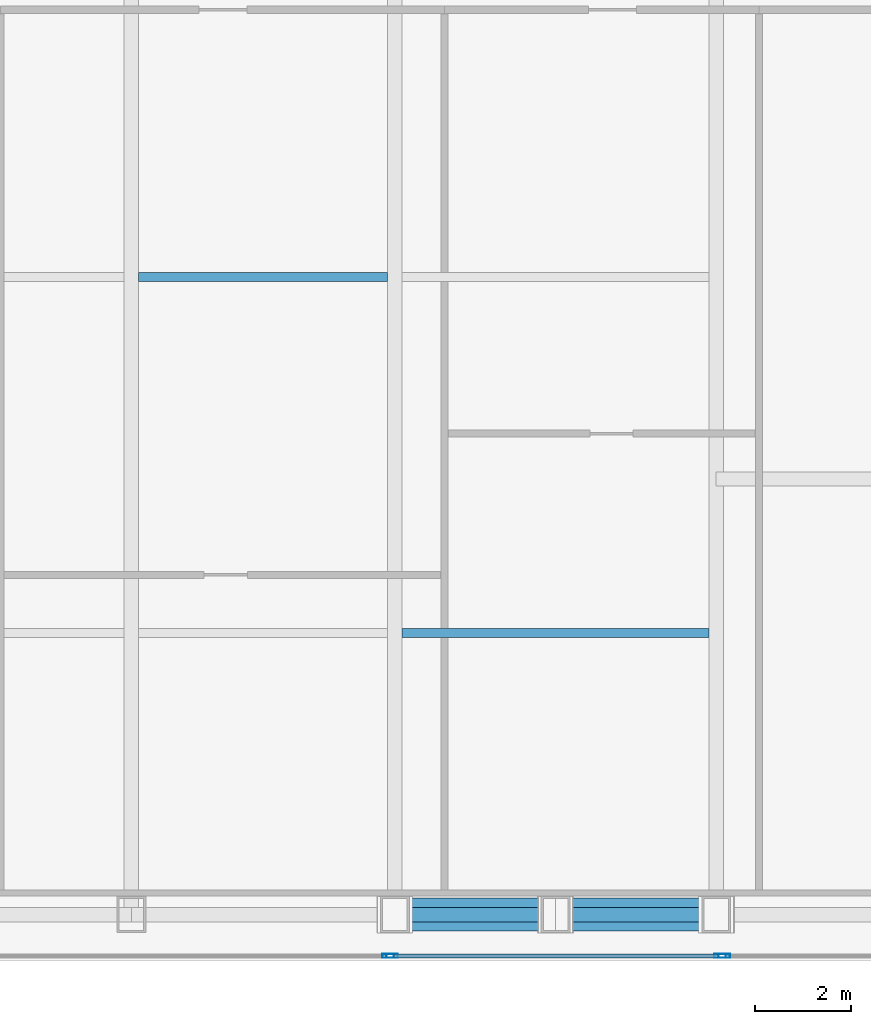
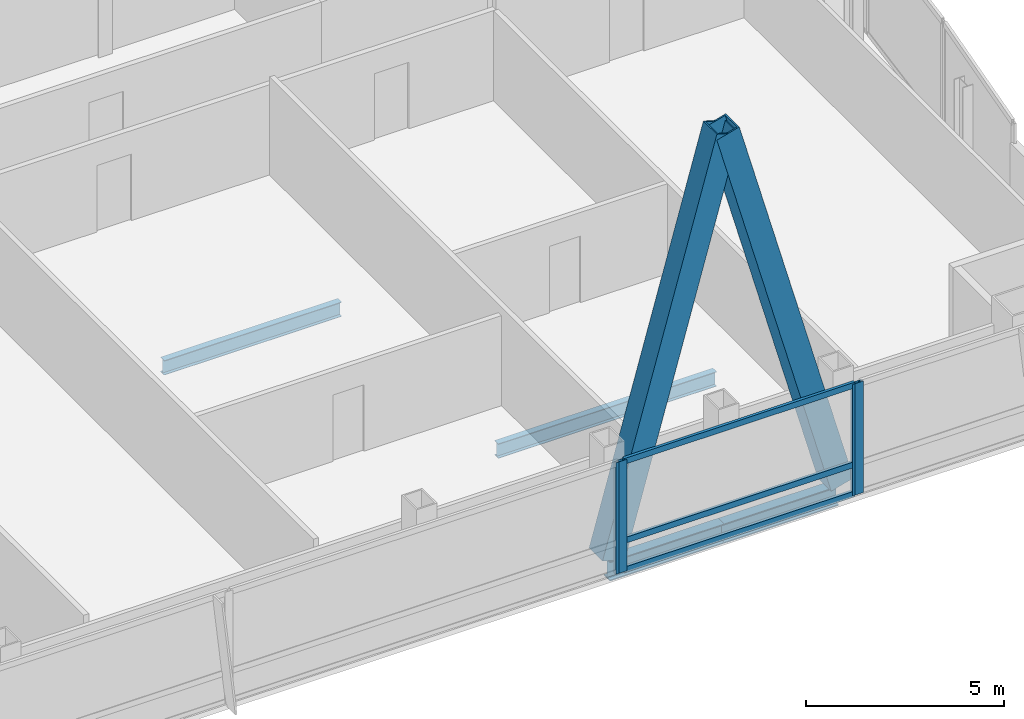
# One storey, part 14 of 31: 9 members, 4 beams, 3 elements without a shape of their own.
"""IFC4 building model written with IfcOpenShell, lengths in metres."""

import ifcopenshell
import ifcopenshell.guid

model = None  # the IFC model being written
_history = None  # IfcOwnerHistory: only IFC2X3 demands one
_inside = {}  # id of a spatial element -> (the spatial element, [elements in it])
_under = {}  # id of a project, library or spatial element -> (it, [spatial elements below it])
_declared = {}  # id of a project -> (the project, [libraries it declares])
_typed = {}  # id of a type object -> (the type object, [elements of that type])
_made_of = {}  # id of a material, layer set ... -> (it, [elements and type objects made of it])


def new_model(schema):
    """Start an empty IFC model of exactly this schema.

    Asked for "IFC4X3", IfcOpenShell would pick the latest addendum, in which some entities
    have other attributes; the version numbers below select the first issue.
    IFC2X3 requires an IfcOwnerHistory on every rooted entity: one is made here for all.
    """
    global model, _history
    if schema == "IFC4X3":
        model = ifcopenshell.file(schema_version=(4, 3, 0, 0))
    else:
        model = ifcopenshell.file(schema=schema)
    _inside.clear()
    _under.clear()
    _declared.clear()
    _typed.clear()
    _made_of.clear()
    _history = None
    if model.schema == "IFC2X3":
        org = make("IfcOrganization", Name="unknown")
        user = make(
            "IfcPersonAndOrganization",
            ThePerson=make("IfcPerson", FamilyName="unknown"),
            TheOrganization=org,
        )
        app = make(
            "IfcApplication",
            ApplicationDeveloper=org,
            Version="unknown",
            ApplicationFullName="unknown",
            ApplicationIdentifier="unknown",
        )
        _history = make(
            "IfcOwnerHistory",
            OwningUser=user,
            OwningApplication=app,
            ChangeAction="ADDED",
            CreationDate=0,
        )
    return model


def make(cls, **values):
    """One entity of the class cls with the attributes given. An attribute that is None is left unset."""
    return model.create_entity(
        cls, **{name: value for name, value in values.items() if value is not None}
    )


def rooted(cls, **values):
    """An entity with a GlobalId (a new one), such as an element, a storey or a relation."""
    return make(cls, GlobalId=ifcopenshell.guid.new(), OwnerHistory=_history, **values)


def si_unit(unit_type, name, prefix=None):
    """IfcSIUnit, for example si_unit("LENGTHUNIT", "METRE", prefix="MILLI")."""
    return make("IfcSIUnit", UnitType=unit_type, Prefix=prefix, Name=name)


def assignment(units):
    """IfcUnitAssignment: the units of a project."""
    return None if units is None else make("IfcUnitAssignment", Units=units)


def point(xyz):
    """IfcCartesianPoint."""
    return None if xyz is None else make("IfcCartesianPoint", Coordinates=xyz)


def direction(xyz):
    """IfcDirection."""
    return None if xyz is None else make("IfcDirection", DirectionRatios=xyz)


def frame(location, z_axis=None, x_axis=None):
    """IfcAxis2Placement3D, a coordinate frame: its origin and axes. An axis left out is left unset."""
    return make(
        "IfcAxis2Placement3D",
        Location=point(location),
        Axis=direction(z_axis),
        RefDirection=direction(x_axis),
    )


def frame_2d(location, x_axis=None):
    """IfcAxis2Placement2D, a coordinate frame in the plane: its origin and x axis."""
    return make(
        "IfcAxis2Placement2D", Location=point(location), RefDirection=direction(x_axis)
    )


def origin():
    """The frame at (0, 0, 0) with its axes left unset."""
    return frame((0.0, 0.0, 0.0))


def origin_2d():
    """The frame at (0, 0) in the plane with its x axis left unset."""
    return frame_2d((0.0, 0.0))


def place(relative_to, where):
    """IfcLocalPlacement: puts the frame where relative to a parent placement (None: the world)."""
    return make(
        "IfcLocalPlacement", PlacementRelTo=relative_to, RelativePlacement=where
    )


def context(
    kind, dimensions, precision=None, world=None, true_north=None, identifier=None
):
    """IfcGeometricRepresentationContext, for example the 3D "Model" context."""
    return make(
        "IfcGeometricRepresentationContext",
        ContextIdentifier=identifier,
        ContextType=kind,
        CoordinateSpaceDimension=dimensions,
        Precision=precision,
        WorldCoordinateSystem=world,
        TrueNorth=true_north,
    )


def subcontext(parent, identifier, kind, view, scale=None):
    """IfcGeometricRepresentationSubContext, for example "Body" below "Model"."""
    return make(
        "IfcGeometricRepresentationSubContext",
        ContextIdentifier=identifier,
        ContextType=kind,
        ParentContext=parent,
        TargetScale=scale,
        TargetView=view,
    )


def project(units=None, contexts=None):
    """IfcProject with its units and contexts."""
    return rooted(
        "IfcProject",
        Name="project",
        RepresentationContexts=contexts,
        UnitsInContext=assignment(units),
    )


def spatial(cls, under=None, at=None, **own):
    """A site, building, storey or space (cls), placed at a placement, below another one or the project."""
    s = rooted(cls, ObjectPlacement=at, **own)
    if under is not None:
        _under.setdefault(under.id(), (under, []))[1].append(s)
    return s


def profile(cls, at=None, kind="AREA", **sizes):
    """A parametric profile (cls). Its sizes go by their IFC names, for example OverallWidth=200.0."""
    return make(cls, ProfileType=kind, Position=at, **sizes)


def hollow_rectangle(**sizes):
    """IfcRectangleHollowProfileDef."""
    return profile("IfcRectangleHollowProfileDef", **sizes)


def i_section(**sizes):
    """IfcIShapeProfileDef."""
    return profile("IfcIShapeProfileDef", **sizes)


def extrude(swept, where, along, depth):
    """IfcExtrudedAreaSolid: the profile swept, set in the frame where, extruded along a direction by depth."""
    return make(
        "IfcExtrudedAreaSolid",
        SweptArea=swept,
        Position=where,
        ExtrudedDirection=direction(along),
        Depth=depth,
    )


def shape(context_of_items, identifier, shape_type, items):
    """IfcShapeRepresentation: the items that make up one representation, for example the "Body"."""
    return make(
        "IfcShapeRepresentation",
        ContextOfItems=context_of_items,
        RepresentationIdentifier=identifier,
        RepresentationType=shape_type,
        Items=items,
    )


def material(Name=None, Category=None):
    """IfcMaterial."""
    return make("IfcMaterial", Name=Name, Category=Category)


def material_profile(
    of_material, cross_section, Name=None, Category=None, Priority=None
):
    """IfcMaterialProfile: a cross section and its material."""
    return make(
        "IfcMaterialProfile",
        Name=Name,
        Material=of_material,
        Profile=cross_section,
        Priority=Priority,
        Category=Category,
    )


def profile_set(profiles, Name=None, composite=None):
    """IfcMaterialProfileSet."""
    return make(
        "IfcMaterialProfileSet",
        Name=Name,
        MaterialProfiles=profiles,
        CompositeProfile=composite,
    )


def made_of(thing, what):
    """Note that an element or type object is made of a material, layer set ...; save() writes the relation."""
    if what is not None:
        _made_of.setdefault(what.id(), (what, []))[1].append(thing)
    return thing


def type_object(cls, material=None, **own):
    """A type object (cls), such as IfcWallType, which elements share."""
    return made_of(rooted(cls, **own), material)


def element(
    cls,
    number,
    at=None,
    inside=None,
    cuts=None,
    type_object=None,
    material=None,
    context=None,
    identifier="Body",
    shape_type=None,
    held_by="IfcProductDefinitionShape",
    body=None,
    shapes=None,
    **own,
):
    """One element of the class cls, such as IfcWall. Its Tag is "e" and its number.

    at: its placement. inside: the storey or other place that contains it. cuts: it is an
    opening in that element (IfcRelVoidsElement). A single representation is given by context,
    identifier, shape_type and body (its items); several are given by shapes. held_by: the class
    of the entity that holds the representations. save() writes the other relations.
    """
    e = rooted(cls, Tag="e%d" % number, ObjectPlacement=at, **own)
    if body is not None:
        shapes = [shape(context, identifier, shape_type, body)]
    if shapes is not None:
        e.Representation = make(held_by, Representations=shapes)
    if inside is not None:
        _inside.setdefault(inside.id(), (inside, []))[1].append(e)
    if cuts is not None:
        rooted(
            "IfcRelVoidsElement", RelatingBuildingElement=cuts, RelatedOpeningElement=e
        )
    if type_object is not None:
        _typed.setdefault(type_object.id(), (type_object, []))[1].append(e)
    return made_of(e, material)


def aggregate(whole, parts):
    """IfcRelAggregates: a whole, such as a stair, and the parts it consists of."""
    return rooted("IfcRelAggregates", RelatingObject=whole, RelatedObjects=parts)


def save(model, path):
    """Write the relations noted so far, then the file.

    IfcRelAggregates (storeys below a building ...), IfcRelContainedInSpatialStructure (elements
    in a storey), IfcRelDefinesByType, IfcRelAssociatesMaterial and IfcRelDeclares: one each for
    every whole, place, type object, material and project.
    """
    for whole, parts in _under.values():
        aggregate(whole, parts)
    for where, things in _inside.values():
        rooted(
            "IfcRelContainedInSpatialStructure",
            RelatedElements=things,
            RelatingStructure=where,
        )
    for kind, things in _typed.values():
        rooted("IfcRelDefinesByType", RelatedObjects=things, RelatingType=kind)
    for what, things in _made_of.values():
        rooted("IfcRelAssociatesMaterial", RelatedObjects=things, RelatingMaterial=what)
    for by, libraries in _declared.values():
        rooted("IfcRelDeclares", RelatingContext=by, RelatedDefinitions=libraries)
    model.write(path)


model = new_model("IFC4")

# Units and contexts
model_context = context("Model", 3, precision=1e-05, world=origin(), true_north=direction((0.0, 1.0)))
body_context = subcontext(model_context, "Body", "Model", "MODEL_VIEW")
ifc_project = project(units=[si_unit("LENGTHUNIT", "METRE"), si_unit("AREAUNIT", "SQUARE_METRE"), si_unit("VOLUMEUNIT", "CUBIC_METRE"), si_unit("PLANEANGLEUNIT", "RADIAN"), si_unit("MASSUNIT", "GRAM", prefix="KILO")], contexts=[model_context])

# Site, building, storey
site_placement = place(None, origin())
site = spatial("IfcSite", under=ifc_project, at=site_placement, CompositionType="ELEMENT")
building_placement = place(site_placement, origin())
building = spatial("IfcBuilding", under=site, at=building_placement, Name="Khoronbel Lancet Exchange", CompositionType="ELEMENT")
storey_placement = place(building_placement, frame((0.0, 0.0, 249.800048828125)))
storey = spatial("IfcBuildingStorey", under=building, at=storey_placement, Name="L64", CompositionType="ELEMENT", Elevation=249.800048828125)

# Beams
ifc_material_1 = material(Name="Steel S355", Category="steel")
ifc_material_profile_1 = material_profile(ifc_material_1, i_section(OverallWidth=0.18994140625, OverallDepth=0.449951171875, WebThickness=0.009521484375, FlangeThickness=0.0146484375, at=origin_2d()), Name="IPE 450")
ifc_profile_set_1 = profile_set([ifc_material_profile_1], Name="Steel S355")
beam_type_1 = type_object("IfcBeamType", Name="BM-BJ4", PredefinedType="JOIST", material=ifc_profile_set_1)
beam_1_placement = place(storey_placement, frame((48.14990234375, 16.0, -0.385009765625), z_axis=(1.0, 0.0, 0.0), x_axis=(0.0, 1.0, 0.0)))
element("IfcBeam", 1, at=beam_1_placement, inside=storey, type_object=beam_type_1, Name="Level L64 secondary composite joist J05", PredefinedType="JOIST", context=body_context, shape_type="SweptSolid", body=[
    extrude(i_section(OverallWidth=0.18994140625, OverallDepth=0.449951171875, WebThickness=0.009521484375, FlangeThickness=0.0146484375, at=origin_2d()), origin(), (0.0, 0.0, 1.0), 6.375),
])
beam_2_placement = place(storey_placement, frame((42.675048828125, 23.39990234375, -0.385009765625), z_axis=(1.0, 0.0, 0.0), x_axis=(0.0, 1.0, 0.0)))
element("IfcBeam", 2, at=beam_2_placement, inside=storey, type_object=beam_type_1, Name="Level L64 secondary composite joist J09", PredefinedType="JOIST", context=body_context, shape_type="SweptSolid", body=[
    extrude(i_section(OverallWidth=0.18994140625, OverallDepth=0.449951171875, WebThickness=0.009521484375, FlangeThickness=0.0146484375, at=origin_2d()), origin(), (0.0, 0.0, 1.0), 5.175048828125),
])
ifc_material_profile_2 = material_profile(ifc_material_1, i_section(OverallWidth=0.300048828125, OverallDepth=0.60009765625, WebThickness=0.015380859375, FlangeThickness=0.030029296875, at=origin_2d()), Name="HEB 600")
ifc_profile_set_2 = profile_set([ifc_material_profile_2], Name="Steel S355")
beam_type_2 = type_object("IfcBeamType", Name="BM-BSP2", PredefinedType="SPANDREL", material=ifc_profile_set_2)
beam_3_placement = place(storey_placement, frame((48.0, 10.14990234375, -0.4599609375), z_axis=(1.0, 0.0, 0.0), x_axis=(0.0, 1.0, 0.0)))
element("IfcBeam", 3, at=beam_3_placement, inside=storey, type_object=beam_type_2, Name="Level L64 perimeter spandrel beam SP07", PredefinedType="SPANDREL", context=body_context, shape_type="SweptSolid", body=[
    extrude(i_section(OverallWidth=0.300048828125, OverallDepth=0.60009765625, WebThickness=0.015380859375, FlangeThickness=0.030029296875, at=origin_2d()), origin(), (0.0, 0.0, 1.0), 3.33740234375),
])
beam_4_placement = place(storey_placement, frame((51.33740234375, 10.14990234375, -0.4599609375), z_axis=(1.0, 0.0, 0.0), x_axis=(0.0, 1.0, 0.0)))
element("IfcBeam", 4, at=beam_4_placement, inside=storey, type_object=beam_type_2, Name="Level L64 perimeter spandrel beam SP08", PredefinedType="SPANDREL", context=body_context, shape_type="SweptSolid", body=[
    extrude(i_section(OverallWidth=0.300048828125, OverallDepth=0.60009765625, WebThickness=0.015380859375, FlangeThickness=0.030029296875, at=origin_2d()), origin(), (0.0, 0.0, 1.0), 3.337646484375),
])

# Curtain wall, member
ifc_material_2 = material(Name="Low-E Solar Control Insulating Glass", Category="glass")
curtain_wall_type = type_object("IfcCurtainWallType", Name="CW-3", PredefinedType="NOTDEFINED", material=ifc_material_2)
curtain_wall_1_placement = place(storey_placement, origin())
curtain_wall_1 = element("IfcCurtainWall", 5, at=curtain_wall_1_placement, inside=storey, type_object=curtain_wall_type, Name="Unitised curtain wall CW-L64-SCV", PredefinedType="NOTDEFINED")
ifc_material_3 = material(Name="Bronze-Anodised Aluminium 6063-T6", Category="aluminium")
ifc_material_profile_3 = material_profile(ifc_material_3, hollow_rectangle(XDim=0.0849609375, YDim=0.239990234375, WallThickness=0.006103515625, at=origin_2d()), Name="ALU MULLION 85x240")
ifc_profile_set_3 = profile_set([ifc_material_profile_3], Name="Bronze-Anodised Aluminium 6063-T6")
member_type_1 = type_object("IfcMemberType", Name="MEM-CWM1", PredefinedType="MULLION", material=ifc_profile_set_3)
member_1_placement = place(storey_placement, frame((47.857421875, 9.2900390625, 0.0), z_axis=(0.0, 0.0, 1.0), x_axis=(0.0, 1.0, 0.0)))
member_1 = element("IfcMember", 6, at=member_1_placement, type_object=member_type_1, Name="CW3 mullion 3", PredefinedType="MULLION", context=body_context, shape_type="SweptSolid", body=[
    extrude(hollow_rectangle(XDim=0.0849609375, YDim=0.239990234375, WallThickness=0.006103515625, at=origin_2d()), origin(), (0.0, 0.0, 1.0), 3.43994140625),
])
aggregate(curtain_wall_1, [member_1])

# Curtain wall, members
curtain_wall_2_placement = place(storey_placement, origin())
curtain_wall_2 = element("IfcCurtainWall", 7, at=curtain_wall_2_placement, inside=storey, type_object=curtain_wall_type, Name="Unitised curtain wall CW-L64-SEB", PredefinedType="NOTDEFINED")
member_2_placement = place(storey_placement, frame((47.9423828125, 9.2900390625, 0.0), z_axis=(0.0, 0.0, 1.0), x_axis=(0.0, 1.0, 0.0)))
member_2 = element("IfcMember", 8, at=member_2_placement, type_object=member_type_1, Name="CW3 mullion 1", PredefinedType="MULLION", context=body_context, shape_type="SweptSolid", body=[
    extrude(hollow_rectangle(XDim=0.0849609375, YDim=0.239990234375, WallThickness=0.006103515625, at=origin_2d()), origin(), (0.0, 0.0, 1.0), 3.43994140625),
])
member_3_placement = place(storey_placement, frame((54.757568359375, 9.2900390625, 0.0), z_axis=(0.0, 0.0, 1.0), x_axis=(0.0, 1.0, 0.0)))
member_3 = element("IfcMember", 9, at=member_3_placement, type_object=member_type_1, Name="CW3 mullion 2", PredefinedType="MULLION", context=body_context, shape_type="SweptSolid", body=[
    extrude(hollow_rectangle(XDim=0.0849609375, YDim=0.239990234375, WallThickness=0.006103515625, at=origin_2d()), origin(), (0.0, 0.0, 1.0), 3.43994140625),
])

# Curtain wall, member
curtain_wall_3_placement = place(storey_placement, origin())
curtain_wall_3 = element("IfcCurtainWall", 10, at=curtain_wall_3_placement, inside=storey, type_object=curtain_wall_type, Name="Unitised curtain wall CW-L64-SEV", PredefinedType="NOTDEFINED")
member_4_placement = place(storey_placement, frame((54.842529296875, 9.2900390625, 0.0), z_axis=(0.0, 0.0, 1.0), x_axis=(0.0, 1.0, 0.0)))
member_4 = element("IfcMember", 11, at=member_4_placement, type_object=member_type_1, Name="CW3 mullion 1", PredefinedType="MULLION", context=body_context, shape_type="SweptSolid", body=[
    extrude(hollow_rectangle(XDim=0.0849609375, YDim=0.239990234375, WallThickness=0.006103515625, at=origin_2d()), origin(), (0.0, 0.0, 1.0), 3.43994140625),
])
aggregate(curtain_wall_3, [member_4])

# Member
ifc_material_profile_4 = material_profile(ifc_material_3, hollow_rectangle(XDim=0.0849609375, YDim=0.179931640625, WallThickness=0.0048828125, at=origin_2d()), Name="ALU TRANSOM 85x180")
ifc_profile_set_4 = profile_set([ifc_material_profile_4], Name="Bronze-Anodised Aluminium 6063-T6")
member_type_2 = type_object("IfcMemberType", Name="MEM-CWT1", PredefinedType="USERDEFINED", material=ifc_profile_set_4)
member_5_placement = place(storey_placement, frame((47.985107421875, 9.2900390625, 0.04248046875), z_axis=(1.0, 0.0, 0.0), x_axis=(0.0, 1.0, 0.0)))
member_5 = element("IfcMember", 12, at=member_5_placement, type_object=member_type_2, Name="CW3 transom 1.1", ObjectType="TRANSOM", PredefinedType="USERDEFINED", context=body_context, shape_type="SweptSolid", body=[
    extrude(hollow_rectangle(XDim=0.0849609375, YDim=0.179931640625, WallThickness=0.0048828125, at=origin_2d()), origin(), (0.0, 0.0, 1.0), 6.72998046875),
])

member_6_placement = place(storey_placement, frame((47.985107421875, 9.2900390625, 0.949951171875), z_axis=(1.0, 0.0, 0.0), x_axis=(0.0, 1.0, 0.0)))
member_6 = element("IfcMember", 13, at=member_6_placement, type_object=member_type_2, Name="CW3 transom 1.2", ObjectType="TRANSOM", PredefinedType="USERDEFINED", context=body_context, shape_type="SweptSolid", body=[
    extrude(hollow_rectangle(XDim=0.0849609375, YDim=0.179931640625, WallThickness=0.0048828125, at=origin_2d()), origin(), (0.0, 0.0, 1.0), 6.72998046875),
])

member_7_placement = place(storey_placement, frame((47.985107421875, 9.2900390625, 3.3974609375), z_axis=(1.0, 0.0, 0.0), x_axis=(0.0, 1.0, 0.0)))
member_7 = element("IfcMember", 14, at=member_7_placement, type_object=member_type_2, Name="CW3 transom 1.3", ObjectType="TRANSOM", PredefinedType="USERDEFINED", context=body_context, shape_type="SweptSolid", body=[
    extrude(hollow_rectangle(XDim=0.0849609375, YDim=0.179931640625, WallThickness=0.0048828125, at=origin_2d()), origin(), (0.0, 0.0, 1.0), 6.72998046875),
])

aggregate(curtain_wall_2, [member_2, member_3, member_5, member_6, member_7])

# Members
ifc_material_4 = material(Name="Steel S460", Category="steel")
ifc_material_profile_5 = material_profile(ifc_material_4, hollow_rectangle(XDim=0.679931640625, YDim=0.679931640625, WallThickness=0.044921875, at=origin_2d()), Name="BOX 680x680x45")
ifc_profile_set_5 = profile_set([ifc_material_profile_5], Name="Steel S460")
member_type_3 = type_object("IfcMemberType", Name="MEM-MB3", PredefinedType="BRACE", material=ifc_profile_set_5)
for number, where, z_axis, x_axis, name in (
    (15, (48.0, 10.14990234375, 0.0), (0.267947134133, 0.0, 0.963433616452), (0.0, 1.0, 0.0), "Perimeter lancet brace tier 22 S-E-L"),
    (16, (54.675048828125, 10.14990234375, 0.0), (-0.267965327822, 0.0, 0.963428556295), (0.0, -1.0, 0.0), "Perimeter lancet brace tier 22 S-E-R"),
):
    element("IfcMember", number, at=place(storey_placement, frame(where, z_axis=z_axis, x_axis=x_axis)), inside=storey, type_object=member_type_3, Name=name, PredefinedType="BRACE", context=body_context, shape_type="SweptSolid", body=[
        extrude(hollow_rectangle(XDim=0.679931640625, YDim=0.679931640625, WallThickness=0.044921875, at=origin_2d()), origin(), (0.0, 0.0, 1.0), 12.45556640625),
    ])

save(model, "model.ifc")
